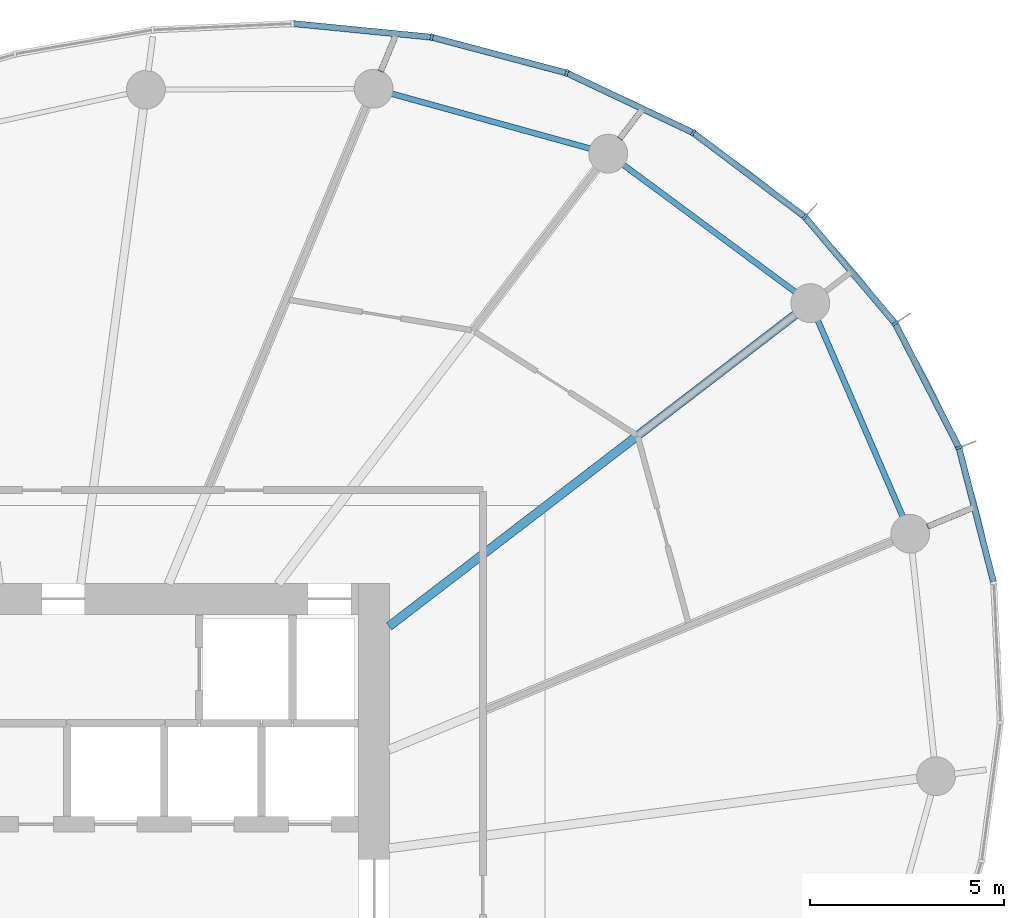
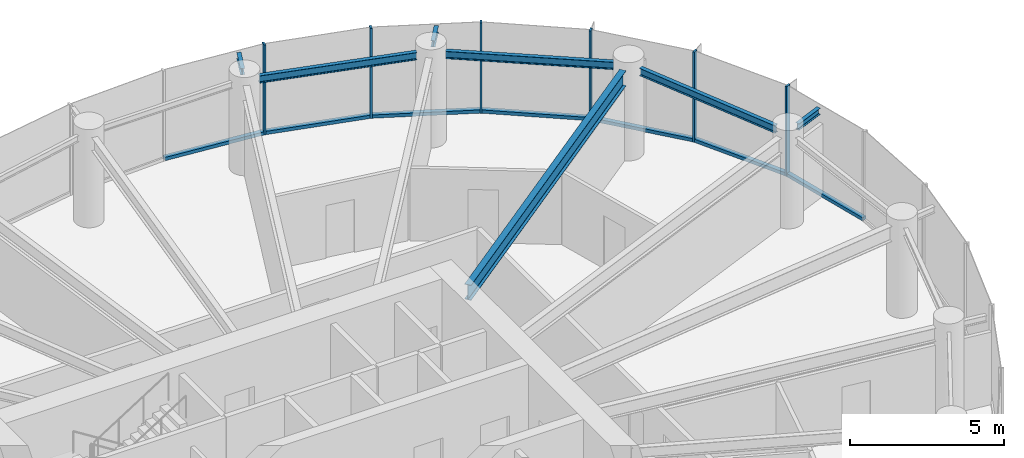
# One storey, part 6 of 14: 13 members, 7 beams, 2 elements without a shape of their own.
"""IFC4 building model written with IfcOpenShell, lengths in metres."""

from ifc_helpers import new_model, si_unit, direction, frame, origin, origin_2d, place, context, subcontext, project, spatial, rectangle, i_section, extrude, source, transform, mapped, material, layer, layer_set, material_profile, profile_set, type_object, element, aggregate, save


model = new_model("IFC4")

# Units and contexts
model_context = context("Model", 3, precision=1e-05, world=origin(), true_north=direction((0.0, 1.0)))
body_context = subcontext(model_context, "Body", "Model", "MODEL_VIEW")
ifc_project = project(units=[si_unit("LENGTHUNIT", "METRE"), si_unit("AREAUNIT", "SQUARE_METRE"), si_unit("VOLUMEUNIT", "CUBIC_METRE"), si_unit("PLANEANGLEUNIT", "RADIAN"), si_unit("MASSUNIT", "GRAM", prefix="KILO")], contexts=[model_context])

# Site, building, storey
site_placement = place(None, origin())
site = spatial("IfcSite", under=ifc_project, at=site_placement, CompositionType="ELEMENT")
building_placement = place(site_placement, origin())
building = spatial("IfcBuilding", under=site, at=building_placement, Name="Spindrift Exchange Tower", CompositionType="ELEMENT")
storey_placement = place(building_placement, frame((0.0, 0.0, 140.89990234375)))
storey = spatial("IfcBuildingStorey", under=building, at=storey_placement, Name="L33", CompositionType="ELEMENT", Elevation=140.89990234375)

# Beams
ifc_material_1 = material(Name="Steel Grade 300", Category="steel")
ifc_material_profile_1 = material_profile(ifc_material_1, i_section(OverallWidth=0.14599609375, OverallDepth=0.251953125, WebThickness=0.006103515625, FlangeThickness=0.008544921875, FilletRadius=0.011962890625, at=origin_2d()), Name="250UB31.4")
ifc_profile_set_1 = profile_set([ifc_material_profile_1], Name="Steel Grade 300")
beam_type_1 = type_object("IfcBeamType", Name="Cantilever Beam 250UB31.4 Steel Grade 300", PredefinedType="BEAM", material=ifc_profile_set_1)
shared_shape_1 = source(origin(), body_context, "Body", "SweptSolid", [
    extrude(i_section(OverallWidth=0.14599609375, OverallDepth=0.251953125, WebThickness=0.006103515625, FlangeThickness=0.008544921875, FilletRadius=0.011962890625, at=origin_2d()), origin(), (0.0, 0.0, 1.0), 1.142578125),
])
beam_1_placement = place(storey_placement, frame((74.840087890625, 57.460693359375, 3.4541015625), z_axis=(0.923884022926, 0.382672591365, 0.0), x_axis=(-0.382672591365, 0.923884022926, 0.0)))
element("IfcBeam", 1, at=beam_1_placement, inside=storey, type_object=beam_type_1, Name="L33 cantilever beam R02T", PredefinedType="BEAM", context=body_context, shape_type="MappedRepresentation", body=[
    mapped(shared_shape_1, transform((0.0, 0.0, 0.0), scale=1.0)),
])
ifc_material_profile_2 = material_profile(ifc_material_1, i_section(OverallWidth=0.14892578125, OverallDepth=0.298095703125, WebThickness=0.005615234375, FlangeThickness=0.008056640625, FilletRadius=0.012939453125, at=origin_2d()), Name="310UB32.0")
ifc_profile_set_2 = profile_set([ifc_material_profile_2], Name="Steel Grade 300")
beam_type_2 = type_object("IfcBeamType", Name="Edge Beam 310UB32.0 Steel Grade 300", PredefinedType="SPANDREL", material=ifc_profile_set_2)
shared_shape_2 = source(origin(), body_context, "Body", "SweptSolid", [
    extrude(i_section(OverallWidth=0.14892578125, OverallDepth=0.298095703125, WebThickness=0.005615234375, FlangeThickness=0.008056640625, FilletRadius=0.012939453125, at=origin_2d()), origin(), (0.0, 0.0, 1.0), 5.508544921875),
])
beam_2_placement = place(storey_placement, frame((74.205810546875, 57.717529296875, 3.43115234375), z_axis=(-0.397414644433, 0.917639144975, 0.0), x_axis=(-0.917639144975, -0.397414644433, 0.0)))
element("IfcBeam", 2, at=beam_2_placement, inside=storey, type_object=beam_type_2, Name="L33 edge beam E02", PredefinedType="SPANDREL", context=body_context, shape_type="MappedRepresentation", body=[
    mapped(shared_shape_2, transform((0.0, 0.0, 0.0), scale=1.0)),
])
shared_shape_3 = source(origin(), body_context, "Body", "SweptSolid", [
    extrude(i_section(OverallWidth=0.14892578125, OverallDepth=0.298095703125, WebThickness=0.005615234375, FlangeThickness=0.008056640625, FilletRadius=0.012939453125, at=origin_2d()), origin(), (0.0, 0.0, 1.0), 5.509033203125),
])
beam_3_placement = place(storey_placement, frame((71.43994140625, 63.498291015625, 3.43115234375), z_axis=(-0.803991901791, 0.594640245741, 0.0), x_axis=(-0.594640245741, -0.803991901791, 0.0)))
element("IfcBeam", 3, at=beam_3_placement, inside=storey, type_object=beam_type_2, Name="L33 edge beam E03", PredefinedType="SPANDREL", context=body_context, shape_type="MappedRepresentation", body=[
    mapped(shared_shape_3, transform((0.0, 0.0, 0.0), scale=1.0)),
])
shared_shape_4 = source(origin(), body_context, "Body", "SweptSolid", [
    extrude(i_section(OverallWidth=0.14892578125, OverallDepth=0.298095703125, WebThickness=0.005615234375, FlangeThickness=0.008056640625, FilletRadius=0.012939453125, at=origin_2d()), origin(), (0.0, 0.0, 1.0), 5.30517578125),
])
beam_4_placement = place(storey_placement, frame((66.162353515625, 67.1875, 3.43115234375), z_axis=(-0.963757513624, 0.26677978734, 0.0), x_axis=(-0.26677978734, -0.963757513624, 0.0)))
element("IfcBeam", 4, at=beam_4_placement, inside=storey, type_object=beam_type_2, Name="L33 edge beam E04", PredefinedType="SPANDREL", context=body_context, shape_type="MappedRepresentation", body=[
    mapped(shared_shape_4, transform((0.0, 0.0, 0.0), scale=1.0)),
])
ifc_material_profile_3 = material_profile(ifc_material_1, i_section(OverallWidth=0.22802734375, OverallDepth=0.60205078125, WebThickness=0.010498046875, FlangeThickness=0.014892578125, FilletRadius=0.013916015625, at=origin_2d()), Name="610UB101")
ifc_profile_set_3 = profile_set([ifc_material_profile_3], Name="Steel Grade 300")
beam_type_3 = type_object("IfcBeamType", Name="Floor Beam 610UB101 Steel Grade 300", PredefinedType="BEAM", material=ifc_profile_set_3)
shared_shape_5 = source(origin(), body_context, "Body", "SweptSolid", [
    extrude(i_section(OverallWidth=0.22802734375, OverallDepth=0.60205078125, WebThickness=0.010498046875, FlangeThickness=0.014892578125, FilletRadius=0.013916015625, at=origin_2d()), origin(), (0.0, 0.0, 1.0), 13.185546875),
])
beam_5_placement = place(storey_placement, frame((60.984130859375, 54.893798828125, 3.279052734375), z_axis=(0.793357156703, 0.608756455332, 0.0), x_axis=(-0.608756455332, 0.793357156703, 0.0)))
element("IfcBeam", 5, at=beam_5_placement, inside=storey, type_object=beam_type_3, Name="L33 radial beam R03A", PredefinedType="BEAM", context=body_context, shape_type="MappedRepresentation", body=[
    mapped(shared_shape_5, transform((0.0, 0.0, 0.0), scale=1.0)),
])
shared_shape_6 = source(origin(), body_context, "Body", "SweptSolid", [
    extrude(i_section(OverallWidth=0.14599609375, OverallDepth=0.251953125, WebThickness=0.006103515625, FlangeThickness=0.008544921875, FilletRadius=0.011962890625, at=origin_2d()), origin(), (0.0, 0.0, 1.0), 0.86865234375),
])
beam_6_placement = place(storey_placement, frame((66.9169921875, 67.440185546875, 3.4541015625), z_axis=(0.608732403374, 0.7933756116, 0.0), x_axis=(-0.7933756116, 0.608732403374, 0.0)))
element("IfcBeam", 6, at=beam_6_placement, inside=storey, type_object=beam_type_1, Name="L33 cantilever beam R04T", PredefinedType="BEAM", context=body_context, shape_type="MappedRepresentation", body=[
    mapped(shared_shape_6, transform((0.0, 0.0, 0.0), scale=1.0)),
])
shared_shape_7 = source(origin(), body_context, "Body", "SweptSolid", [
    extrude(i_section(OverallWidth=0.14599609375, OverallDepth=0.251953125, WebThickness=0.006103515625, FlangeThickness=0.008544921875, FilletRadius=0.011962890625, at=origin_2d()), origin(), (0.0, 0.0, 1.0), 0.925048828125),
])
beam_7_placement = place(storey_placement, frame((60.770751953125, 69.17431640625, 3.4541015625), z_axis=(0.382647013544, 0.92389461684, 0.0), x_axis=(-0.92389461684, 0.382647013544, 0.0)))
element("IfcBeam", 7, at=beam_7_placement, inside=storey, type_object=beam_type_1, Name="L33 cantilever beam R05T", PredefinedType="BEAM", context=body_context, shape_type="MappedRepresentation", body=[
    mapped(shared_shape_7, transform((0.0, 0.0, 0.0), scale=1.0)),
])

# Curtain wall, members
ifc_material_2 = material(Name="Fritted laminated glass with bronze frame", Category="glass")
ifc_layer = layer(ifc_material_2, 0.179931640625)
ifc_layer_set = layer_set([ifc_layer], Name="ZONE 3 BRONZE FRITTED WALL")
curtain_wall_type = type_object("IfcCurtainWallType", Name="ZONE 3 BRONZE FRITTED WALL", PredefinedType="NOTDEFINED", material=ifc_layer_set)
curtain_wall_1_placement = place(storey_placement, origin())
curtain_wall_1 = element("IfcCurtainWall", 8, at=curtain_wall_1_placement, inside=storey, type_object=curtain_wall_type, Name="L33 Zone 3 Bronze Fritted Wall run 1", PredefinedType="NOTDEFINED")
ifc_material_3 = material(Name="Bronze anodised aluminium", Category="aluminium")
ifc_material_profile_4 = material_profile(ifc_material_3, rectangle(XDim=0.159912109375, YDim=0.1298828125, at=origin_2d()), Name="ZONE 3 BRONZE FRITTED WALL TRANSOM 160X130")
ifc_profile_set_4 = profile_set([ifc_material_profile_4], Name="Bronze anodised aluminium")
member_type_1 = type_object("IfcMemberType", Name="ZONE 3 BRONZE FRITTED WALL TRANSOM 160X130", PredefinedType="USERDEFINED", material=ifc_profile_set_4)
shared_shape_8 = source(origin(), body_context, "Body", "SweptSolid", [
    extrude(rectangle(XDim=0.159912109375, YDim=0.1298828125, at=origin_2d()), origin(), (0.0, 0.0, 1.0), 3.529296875),
])
member_1_placement = place(storey_placement, frame((62.047607421875, 70.05908203125, 0.065185546875), z_axis=(-0.995190779905, 0.097955661361, 0.0), x_axis=(-0.097955661361, -0.995190779905, 0.0)))
member_1 = element("IfcMember", 9, at=member_1_placement, type_object=member_type_1, Name="L33 transom CW-3.5", ObjectType="TRANSOM", PredefinedType="USERDEFINED", context=body_context, shape_type="MappedRepresentation", body=[
    mapped(shared_shape_8, transform((0.0, 0.0, 0.0), scale=1.0)),
])
shared_shape_9 = source(origin(), body_context, "Body", "SweptSolid", [
    extrude(rectangle(XDim=0.159912109375, YDim=0.1298828125, at=origin_2d()), origin(), (0.0, 0.0, 1.0), 3.52490234375),
])
member_2_placement = place(storey_placement, frame((73.986083984375, 62.718017578125, 0.065185546875), z_axis=(-0.646566105268, 0.762857962873, 0.0), x_axis=(-0.762857962873, -0.646566105268, 0.0)))
member_2 = element("IfcMember", 10, at=member_2_placement, type_object=member_type_1, Name="L33 transom CW-3.1", ObjectType="TRANSOM", PredefinedType="USERDEFINED", context=body_context, shape_type="MappedRepresentation", body=[
    mapped(shared_shape_9, transform((0.0, 0.0, 0.0), scale=1.0)),
])
ifc_material_profile_5 = material_profile(ifc_material_3, rectangle(XDim=0.070068359375, YDim=0.179931640625, at=origin_2d()), Name="ZONE 3 BRONZE FRITTED WALL MULLION 70X180")
ifc_profile_set_5 = profile_set([ifc_material_profile_5], Name="Bronze anodised aluminium")
member_type_2 = type_object("IfcMemberType", Name="ZONE 3 BRONZE FRITTED WALL MULLION 70X180", PredefinedType="MULLION", material=ifc_profile_set_5)
shared_shape_10 = source(origin(), body_context, "Body", "SweptSolid", [
    extrude(rectangle(XDim=0.070068359375, YDim=0.179931640625, at=origin_2d()), origin(), (0.0, 0.0, 1.0), 3.580078125),
])
member_3_placement = place(storey_placement, frame((74.008544921875, 62.69140625, 0.0), z_axis=(0.0, 0.0, 1.0), x_axis=(-0.555199128195, 0.831717456863, 0.0)))
member_3 = element("IfcMember", 11, at=member_3_placement, type_object=member_type_2, Name="L33 mullion CW-3.1", PredefinedType="MULLION", context=body_context, shape_type="MappedRepresentation", body=[
    mapped(shared_shape_10, transform((0.0, 0.0, 0.0), scale=1.0)),
])
member_4_placement = place(storey_placement, frame((71.684326171875, 65.43359375, 0.0), z_axis=(0.0, 0.0, 1.0), x_axis=(-0.727063425457, 0.686570298923, 0.0)))
member_4 = element("IfcMember", 12, at=member_4_placement, type_object=member_type_2, Name="L33 mullion CW-3.2", PredefinedType="MULLION", context=body_context, shape_type="MappedRepresentation", body=[
    mapped(shared_shape_10, transform((0.0, 0.0, 0.0), scale=1.0)),
])
member_5_placement = place(storey_placement, frame((68.812744140625, 67.59765625, 0.0), z_axis=(0.0, 0.0, 1.0), x_axis=(-0.855878419872, 0.517177078376, 0.0)))
member_5 = element("IfcMember", 13, at=member_5_placement, type_object=member_type_2, Name="L33 mullion CW-3.3", PredefinedType="MULLION", context=body_context, shape_type="MappedRepresentation", body=[
    mapped(shared_shape_10, transform((0.0, 0.0, 0.0), scale=1.0)),
])
member_6_placement = place(storey_placement, frame((65.560546875, 69.134033203125, 0.0), z_axis=(0.0, 0.0, 1.0), x_axis=(-0.939313029674, 0.34306126608, 0.0)))
member_6 = element("IfcMember", 14, at=member_6_placement, type_object=member_type_2, Name="L33 mullion CW-3.4", PredefinedType="MULLION", context=body_context, shape_type="MappedRepresentation", body=[
    mapped(shared_shape_10, transform((0.0, 0.0, 0.0), scale=1.0)),
])
member_7_placement = place(storey_placement, frame((62.08251953125, 70.0556640625, 0.0), z_axis=(0.0, 0.0, 1.0), x_axis=(-0.984100642268, 0.177611727899, 0.0)))
member_7 = element("IfcMember", 15, at=member_7_placement, type_object=member_type_2, Name="L33 mullion CW-3.5", PredefinedType="MULLION", context=body_context, shape_type="MappedRepresentation", body=[
    mapped(shared_shape_10, transform((0.0, 0.0, 0.0), scale=1.0)),
])

curtain_wall_2_placement = place(storey_placement, origin())
curtain_wall_2 = element("IfcCurtainWall", 16, at=curtain_wall_2_placement, inside=storey, type_object=curtain_wall_type, Name="L33 Zone 3 Bronze Fritted Wall run 7", PredefinedType="NOTDEFINED")
member_8_placement = place(storey_placement, frame((75.64990234375, 59.4931640625, 0.0), z_axis=(0.0, 0.0, 1.0), x_axis=(-0.355228033102, 0.934779676982, 0.0)))
member_8 = element("IfcMember", 17, at=member_8_placement, type_object=member_type_2, Name="L33 mullion CW-3.41", PredefinedType="MULLION", context=body_context, shape_type="MappedRepresentation", body=[
    mapped(shared_shape_10, transform((0.0, 0.0, 0.0), scale=1.0)),
])
shared_shape_11 = source(origin(), body_context, "Body", "SweptSolid", [
    extrude(rectangle(XDim=0.159912109375, YDim=0.1298828125, at=origin_2d()), origin(), (0.0, 0.0, 1.0), 3.524658203125),
])
member_9_placement = place(storey_placement, frame((75.634033203125, 59.5244140625, 0.065185546875), z_axis=(-0.456609124352, 0.889667414014, 0.0), x_axis=(-0.889667414014, -0.456609124352, 0.0)))
member_9 = element("IfcMember", 18, at=member_9_placement, type_object=member_type_1, Name="L33 transom CW-3.41", ObjectType="TRANSOM", PredefinedType="USERDEFINED", context=body_context, shape_type="MappedRepresentation", body=[
    mapped(shared_shape_11, transform((0.0, 0.0, 0.0), scale=1.0)),
])

# Member
shared_shape_12 = source(origin(), body_context, "Body", "SweptSolid", [
    extrude(rectangle(XDim=0.159912109375, YDim=0.1298828125, at=origin_2d()), origin(), (0.0, 0.0, 1.0), 3.525390625),
])
member_10_placement = place(storey_placement, frame((71.656494140625, 65.454833984375, 0.065185546875), z_axis=(-0.798660101355, 0.601782387997, 0.0), x_axis=(-0.601782387997, -0.798660101355, 0.0)))
member_10 = element("IfcMember", 19, at=member_10_placement, type_object=member_type_1, Name="L33 transom CW-3.2", ObjectType="TRANSOM", PredefinedType="USERDEFINED", context=body_context, shape_type="MappedRepresentation", body=[
    mapped(shared_shape_12, transform((0.0, 0.0, 0.0), scale=1.0)),
])

shared_shape_13 = source(origin(), body_context, "Body", "SweptSolid", [
    extrude(rectangle(XDim=0.159912109375, YDim=0.1298828125, at=origin_2d()), origin(), (0.0, 0.0, 1.0), 3.527099609375),
])
member_11_placement = place(storey_placement, frame((68.78125, 67.612548828125, 0.065185546875), z_axis=(-0.904185533407, 0.427139931612, 0.0), x_axis=(-0.427139931612, -0.904185533407, 0.0)))
member_11 = element("IfcMember", 20, at=member_11_placement, type_object=member_type_1, Name="L33 transom CW-3.3", ObjectType="TRANSOM", PredefinedType="USERDEFINED", context=body_context, shape_type="MappedRepresentation", body=[
    mapped(shared_shape_13, transform((0.0, 0.0, 0.0), scale=1.0)),
])

shared_shape_14 = source(origin(), body_context, "Body", "SweptSolid", [
    extrude(rectangle(XDim=0.159912109375, YDim=0.1298828125, at=origin_2d()), origin(), (0.0, 0.0, 1.0), 3.528076171875),
])
member_12_placement = place(storey_placement, frame((65.526611328125, 69.14306640625, 0.065185546875), z_axis=(-0.966648311546, 0.256107480924, 0.0), x_axis=(-0.256107480924, -0.966648311546, 0.0)))
member_12 = element("IfcMember", 21, at=member_12_placement, type_object=member_type_1, Name="L33 transom CW-3.4", ObjectType="TRANSOM", PredefinedType="USERDEFINED", context=body_context, shape_type="MappedRepresentation", body=[
    mapped(shared_shape_14, transform((0.0, 0.0, 0.0), scale=1.0)),
])

aggregate(curtain_wall_1, [member_3, member_2, member_4, member_10, member_5, member_11, member_6, member_12, member_7, member_1])

shared_shape_15 = source(origin(), body_context, "Body", "SweptSolid", [
    extrude(rectangle(XDim=0.159912109375, YDim=0.1298828125, at=origin_2d()), origin(), (0.0, 0.0, 1.0), 3.525634765625),
])
member_13_placement = place(storey_placement, frame((76.538330078125, 56.045166015625, 0.065185546875), z_axis=(-0.249503111409, 0.968373996655, 0.0), x_axis=(-0.968373996655, -0.249503111409, 0.0)))
member_13 = element("IfcMember", 22, at=member_13_placement, type_object=member_type_1, Name="L33 transom CW-3.40", ObjectType="TRANSOM", PredefinedType="USERDEFINED", context=body_context, shape_type="MappedRepresentation", body=[
    mapped(shared_shape_15, transform((0.0, 0.0, 0.0), scale=1.0)),
])

aggregate(curtain_wall_2, [member_13, member_8, member_9])

save(model, "model.ifc")
